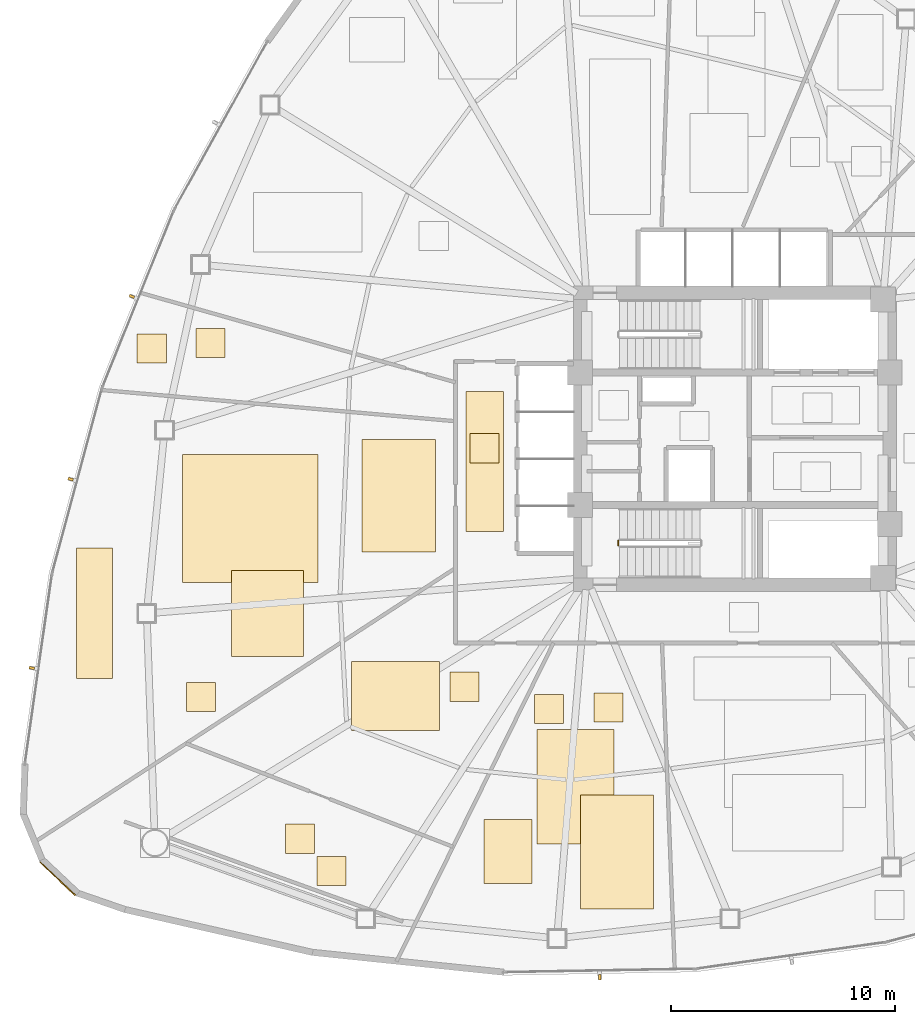
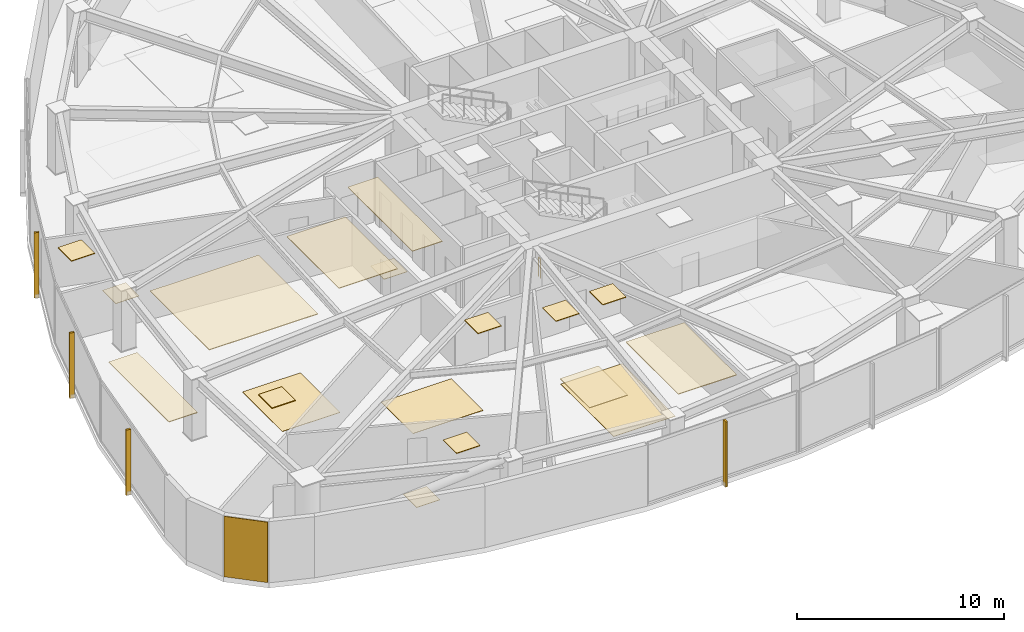
# One storey, part 14 of 17: 19 coverings, 4 shading devices, 1 railing.
"""IFC4 building model written with IfcOpenShell, lengths in metres."""

from ifc_helpers import new_model, si_unit, direction, frame, origin, origin_2d, place, context, subcontext, project, spatial, polyline, rectangle, outline, extrude, source, transform, mapped, material, layer, layer_set, type_object, type_shapes, element, save


model = new_model("IFC4")

# Units and contexts
model_context = context("Model", 3, precision=1e-05, world=origin(), true_north=direction((0.0, 1.0)))
body_context = subcontext(model_context, "Body", "Model", "MODEL_VIEW")
ifc_project = project(units=[si_unit("LENGTHUNIT", "METRE"), si_unit("AREAUNIT", "SQUARE_METRE"), si_unit("VOLUMEUNIT", "CUBIC_METRE"), si_unit("PLANEANGLEUNIT", "RADIAN"), si_unit("MASSUNIT", "GRAM", prefix="KILO")], contexts=[model_context])

# Site, building, storey
site_placement = place(None, origin())
site = spatial("IfcSite", under=ifc_project, at=site_placement, CompositionType="ELEMENT")
building_placement = place(site_placement, origin())
building = spatial("IfcBuilding", under=site, at=building_placement, Name="Tavelor Broadcast Tower", CompositionType="ELEMENT")
storey_placement = place(building_placement, frame((0.0, 0.0, 43.199951171875)))
storey = spatial("IfcBuildingStorey", under=building, at=storey_placement, Name="L09", CompositionType="ELEMENT", Elevation=43.199951171875)

# Coverings
ifc_material_1 = material(Name="Copper-Bronze Anodized Aluminium", Category="aluminium")
ifc_layer_1 = layer(ifc_material_1, 0.050048828125)
ifc_layer_set_1 = layer_set([ifc_layer_1], Name="Copper-Bronze Anodized Aluminium")
covering_type_1 = type_object("IfcCoveringType", Name="Champagne-Bronze Corner Pier Metal Cladding 50 mm", PredefinedType="CLADDING", material=ifc_layer_set_1)
covering_1_placement = place(storey_placement, frame((19.828125, 25.39990234375, 0.02001953125), z_axis=(0.0, 0.0, 1.0), x_axis=(0.727173991201, -0.686453193248, 0.0)))
element("IfcCovering", 1, at=covering_1_placement, inside=storey, type_object=covering_type_1, Name="L09 Champagne-Bronze Corner Cladding 13", PredefinedType="CLADDING", context=body_context, shape_type="SweptSolid", body=[
    extrude(rectangle(XDim=2.1552734375, YDim=0.050048828125, at=origin_2d()), origin(), (0.0, 0.0, 1.0), 3.56005859375),
])
ifc_material_2 = material(Name="Architectural Anodized Aluminium", Category="aluminium")
ifc_layer_2 = layer(ifc_material_2, 0.034912109375)
ifc_layer_set_2 = layer_set([ifc_layer_2], Name="Architectural Anodized Aluminium")
covering_type_2 = type_object("IfcCoveringType", Name="Demountable Metal Tile Corridor Ceiling 35 mm", PredefinedType="CEILING", material=ifc_layer_set_2)
covering_2_placement = place(storey_placement, frame((0.0, 0.0, 3.56494140625)))
element("IfcCovering", 2, at=covering_2_placement, inside=storey, type_object=covering_type_2, Name="L09 Suspended Acoustic Ceiling 0303", PredefinedType="CEILING", context=body_context, shape_type="SweptSolid", body=[
    extrude(outline(polyline([(38.01611328125, 40.868896484375), (39.683837890625, 40.868896484375), (39.683837890625, 47.096923828125), (38.01611328125, 47.096923828125), (38.01611328125, 40.868896484375)])), origin(), (0.0, 0.0, 1.0), 0.03515625),
])
ifc_material_3 = material(Name="Acoustic Nylon Carpet Tile")
ifc_layer_3 = layer(ifc_material_3, 0.02001953125)
ifc_layer_set_3 = layer_set([ifc_layer_3], Name="Acoustic Nylon Carpet Tile")
covering_type_3 = type_object("IfcCoveringType", Name="Heavy-Duty Acoustic Broadcast Carpet Tile 20 mm", PredefinedType="FLOORING", material=ifc_layer_set_3)
covering_3_placement = place(storey_placement, origin())
element("IfcCovering", 3, at=covering_3_placement, inside=storey, type_object=covering_type_3, Name="L09 Broadcast Floor Finish 0104", PredefinedType="FLOORING", context=body_context, shape_type="SweptSolid", body=[
    extrude(outline(polyline([(38.199951171875, 43.925048828125), (39.5, 43.925048828125), (39.5, 45.22509765625), (38.199951171875, 45.22509765625), (38.199951171875, 43.925048828125)])), origin(), (0.0, 0.0, 1.0), 0.02001953125),
])
covering_4_placement = place(storey_placement, origin())
element("IfcCovering", 4, at=covering_4_placement, inside=storey, type_object=covering_type_3, Name="L09 Broadcast Floor Finish 0108", PredefinedType="FLOORING", context=body_context, shape_type="SweptSolid", body=[
    extrude(outline(polyline([(41.1826171875, 26.9462890625), (44.616943359375, 26.9462890625), (44.616943359375, 32.04931640625), (41.1826171875, 32.04931640625), (41.1826171875, 26.9462890625)])), origin(), (0.0, 0.0, 1.0), 0.02001953125),
])
covering_5_placement = place(storey_placement, origin())
element("IfcCovering", 5, at=covering_5_placement, inside=storey, type_object=covering_type_3, Name="L09 Broadcast Floor Finish 0109", PredefinedType="FLOORING", context=body_context, shape_type="SweptSolid", body=[
    extrude(outline(polyline([(29.970947265625, 26.527099609375), (31.27099609375, 26.527099609375), (31.27099609375, 27.826904296875), (29.970947265625, 27.826904296875), (29.970947265625, 26.527099609375)])), origin(), (0.0, 0.0, 1.0), 0.02001953125),
])
covering_6_placement = place(storey_placement, origin())
element("IfcCovering", 6, at=covering_6_placement, inside=storey, type_object=covering_type_3, Name="L09 Broadcast Floor Finish 0110", PredefinedType="FLOORING", context=body_context, shape_type="SweptSolid", body=[
    extrude(outline(polyline([(27.5625, 35.29833984375), (30.78271484375, 35.29833984375), (30.78271484375, 39.14013671875), (27.5625, 39.14013671875), (27.5625, 35.29833984375)])), origin(), (0.0, 0.0, 1.0), 0.02001953125),
])
covering_7_placement = place(storey_placement, origin())
element("IfcCovering", 7, at=covering_7_placement, inside=storey, type_object=covering_type_3, Name="L09 Broadcast Floor Finish 0111", PredefinedType="FLOORING", context=body_context, shape_type="SweptSolid", body=[
    extrude(outline(polyline([(25.981201171875, 48.62060546875), (27.281005859375, 48.62060546875), (27.281005859375, 49.920654296875), (25.981201171875, 49.920654296875), (25.981201171875, 48.62060546875)])), origin(), (0.0, 0.0, 1.0), 0.02001953125),
])
covering_8_placement = place(storey_placement, origin())
element("IfcCovering", 8, at=covering_8_placement, inside=storey, type_object=covering_type_3, Name="L09 Broadcast Floor Finish 0119", PredefinedType="FLOORING", context=body_context, shape_type="SweptSolid", body=[
    extrude(outline(polyline([(32.9287109375, 32.0009765625), (36.83935546875, 32.0009765625), (36.83935546875, 35.068115234375), (32.9287109375, 35.068115234375), (32.9287109375, 32.0009765625)])), origin(), (0.0, 0.0, 1.0), 0.02001953125),
])

# Railing
ifc_material_4 = material(Name="Steel S355", Category="steel")
railing_type = type_object("IfcRailingType", Name="Stairwell Steel Safety Guardrail 1150 mm", PredefinedType="GUARDRAIL", material=ifc_material_4)
railing_placement = place(storey_placement, frame((44.800048828125, 40.25, 0.0)))
element("IfcRailing", 9, at=railing_placement, inside=storey, type_object=railing_type, Name="L09 ST2 stair guard 4", PredefinedType="GUARDRAIL", context=body_context, shape_type="SweptSolid", body=[
    extrude(rectangle(XDim=0.048095703125, YDim=0.048095703125, at=origin_2d()), frame((0.0, 0.0, 1.1259765625), z_axis=(0.0, 1.0, 0.0), x_axis=(-1.0, 0.0, 0.0)), (0.0, 0.0, 1.0), 0.199951171875),
    extrude(rectangle(XDim=0.0419921875, YDim=0.0419921875, at=origin_2d()), origin(), (0.0, 0.0, 1.0), 1.101806640625),
    extrude(rectangle(XDim=0.0419921875, YDim=0.0419921875, at=origin_2d()), frame((0.0, 0.199951171875, 0.0)), (0.0, 0.0, 1.0), 1.101806640625),
])

# Coverings
ifc_material_5 = material(Name="Acoustic Mineral Fibre Tile")
ifc_layer_4 = layer(ifc_material_5, 0.0400390625)
ifc_layer_set_4 = layer_set([ifc_layer_4], Name="Acoustic Mineral Fibre Tile")
covering_type_4 = type_object("IfcCoveringType", Name="Suspended Acoustic Mineral-Fibre Office Ceiling 40 mm", PredefinedType="CEILING", material=ifc_layer_set_4)
covering_9_placement = place(storey_placement, frame((0.0, 0.0, 3.56005859375)))
element("IfcCovering", 10, at=covering_9_placement, inside=storey, type_object=covering_type_4, Name="L09 Suspended Acoustic Ceiling 0309", PredefinedType="CEILING", context=body_context, shape_type="SweptSolid", body=[
    extrude(outline(polyline([(38.825927734375, 25.19580078125), (40.96044921875, 25.19580078125), (40.96044921875, 28.030517578125), (38.825927734375, 28.030517578125), (38.825927734375, 25.19580078125)])), origin(), (0.0, 0.0, 1.0), 0.0400390625),
])
covering_10_placement = place(storey_placement, frame((0.0, 0.0, 3.56005859375)))
element("IfcCovering", 11, at=covering_10_placement, inside=storey, type_object=covering_type_4, Name="L09 Suspended Acoustic Ceiling 0310", PredefinedType="CEILING", context=body_context, shape_type="SweptSolid", body=[
    extrude(outline(polyline([(41.0703125, 32.31396484375), (42.370361328125, 32.31396484375), (42.370361328125, 33.614013671875), (41.0703125, 33.614013671875), (41.0703125, 32.31396484375)])), origin(), (0.0, 0.0, 1.0), 0.0400390625),
])
covering_11_placement = place(storey_placement, frame((0.0, 0.0, 3.56005859375)))
element("IfcCovering", 12, at=covering_11_placement, inside=storey, type_object=covering_type_4, Name="L09 Suspended Acoustic Ceiling 0311", PredefinedType="CEILING", context=body_context, shape_type="SweptSolid", body=[
    extrude(outline(polyline([(43.71728515625, 32.377197265625), (45.01708984375, 32.377197265625), (45.01708984375, 33.67724609375), (43.71728515625, 33.67724609375), (43.71728515625, 32.377197265625)])), origin(), (0.0, 0.0, 1.0), 0.0400390625),
])
covering_12_placement = place(storey_placement, frame((0.0, 0.0, 3.56005859375)))
element("IfcCovering", 13, at=covering_12_placement, inside=storey, type_object=covering_type_4, Name="L09 Suspended Acoustic Ceiling 0312", PredefinedType="CEILING", context=body_context, shape_type="SweptSolid", body=[
    extrude(outline(polyline([(43.114501953125, 24.054443359375), (46.365478515625, 24.054443359375), (46.365478515625, 29.118896484375), (43.114501953125, 29.118896484375), (43.114501953125, 24.054443359375)])), origin(), (0.0, 0.0, 1.0), 0.0400390625),
])
covering_13_placement = place(storey_placement, frame((0.0, 0.0, 3.56005859375)))
element("IfcCovering", 14, at=covering_13_placement, inside=storey, type_object=covering_type_4, Name="L09 Suspended Acoustic Ceiling 0313", PredefinedType="CEILING", context=body_context, shape_type="SweptSolid", body=[
    extrude(outline(polyline([(31.3720703125, 25.0869140625), (32.672119140625, 25.0869140625), (32.672119140625, 26.386962890625), (31.3720703125, 26.386962890625), (31.3720703125, 25.0869140625)])), origin(), (0.0, 0.0, 1.0), 0.0400390625),
])
covering_14_placement = place(storey_placement, frame((0.0, 0.0, 3.56005859375)))
element("IfcCovering", 15, at=covering_14_placement, inside=storey, type_object=covering_type_4, Name="L09 Suspended Acoustic Ceiling 0314", PredefinedType="CEILING", context=body_context, shape_type="SweptSolid", body=[
    extrude(outline(polyline([(20.677978515625, 34.31103515625), (22.274658203125, 34.31103515625), (22.274658203125, 40.125244140625), (20.677978515625, 40.125244140625), (20.677978515625, 34.31103515625)])), origin(), (0.0, 0.0, 1.0), 0.0400390625),
])
covering_15_placement = place(storey_placement, frame((0.0, 0.0, 3.56005859375)))
element("IfcCovering", 16, at=covering_15_placement, inside=storey, type_object=covering_type_4, Name="L09 Suspended Acoustic Ceiling 0315", PredefinedType="CEILING", context=body_context, shape_type="SweptSolid", body=[
    extrude(outline(polyline([(25.391357421875, 38.587158203125), (31.43701171875, 38.587158203125), (31.43701171875, 44.302734375), (25.391357421875, 44.302734375), (25.391357421875, 38.587158203125)])), origin(), (0.0, 0.0, 1.0), 0.0400390625),
])
covering_16_placement = place(storey_placement, frame((0.0, 0.0, 3.56005859375)))
element("IfcCovering", 17, at=covering_16_placement, inside=storey, type_object=covering_type_4, Name="L09 Suspended Acoustic Ceiling 0316", PredefinedType="CEILING", context=body_context, shape_type="SweptSolid", body=[
    extrude(outline(polyline([(33.392822265625, 39.94970703125), (36.66650390625, 39.94970703125), (36.66650390625, 44.974365234375), (33.392822265625, 44.974365234375), (33.392822265625, 39.94970703125)])), origin(), (0.0, 0.0, 1.0), 0.0400390625),
])
covering_17_placement = place(storey_placement, frame((0.0, 0.0, 3.56005859375)))
element("IfcCovering", 18, at=covering_17_placement, inside=storey, type_object=covering_type_4, Name="L09 Suspended Acoustic Ceiling 0317", PredefinedType="CEILING", context=body_context, shape_type="SweptSolid", body=[
    extrude(outline(polyline([(25.563720703125, 32.841796875), (26.86376953125, 32.841796875), (26.86376953125, 34.141845703125), (25.563720703125, 34.141845703125), (25.563720703125, 32.841796875)])), origin(), (0.0, 0.0, 1.0), 0.0400390625),
])
covering_18_placement = place(storey_placement, frame((0.0, 0.0, 3.56005859375)))
element("IfcCovering", 19, at=covering_18_placement, inside=storey, type_object=covering_type_4, Name="L09 Suspended Acoustic Ceiling 0318", PredefinedType="CEILING", context=body_context, shape_type="SweptSolid", body=[
    extrude(outline(polyline([(23.369384765625, 48.37646484375), (24.66943359375, 48.37646484375), (24.66943359375, 49.676513671875), (23.369384765625, 49.676513671875), (23.369384765625, 48.37646484375)])), origin(), (0.0, 0.0, 1.0), 0.0400390625),
])
covering_19_placement = place(storey_placement, frame((0.0, 0.0, 3.56005859375)))
element("IfcCovering", 20, at=covering_19_placement, inside=storey, type_object=covering_type_4, Name="L09 Suspended Acoustic Ceiling 0342", PredefinedType="CEILING", context=body_context, shape_type="SweptSolid", body=[
    extrude(outline(polyline([(37.298583984375, 33.297119140625), (38.5986328125, 33.297119140625), (38.5986328125, 34.59716796875), (37.298583984375, 34.59716796875), (37.298583984375, 33.297119140625)])), origin(), (0.0, 0.0, 1.0), 0.0400390625),
])

# Shading devices
ifc_material_6 = material(Name="Kiln-Fired Glazed Terracotta", Category="masonry")
shading_device_type = type_object("IfcShadingDeviceType", Name="Extruded Terracotta Baguette Sun-Screen 110x240", PredefinedType="JALOUSIE", material=ifc_material_6)
shared_shape = source(origin(), body_context, "Body", "SweptSolid", [
    extrude(rectangle(XDim=0.110107421875, YDim=0.239990234375, at=origin_2d()), origin(), (0.0, 0.0, 1.0), 3.840087890625),
])
type_shapes(shading_device_type, [shared_shape])
for number, where, z_axis, x_axis, name in (
    (21, (23.134033203125, 51.33984375, -0.259765625), (0.0, 0.0, 1.0), (-0.375092014374, -0.926987583926, 0.0), "L09 Terracotta Baguette Fin 62"),
    (22, (20.402099609375, 43.1982421875, -0.259765625), (0.0, 0.0, 1.0), (-0.259998952669, -0.96560889837, 0.0), "L09 Terracotta Baguette Fin 63"),
    (23, (18.67529296875, 34.78564453125, -0.259765625), (0.0, 0.0, 1.0), (-0.141246806796, -0.989974413594, 0.0), "L09 Terracotta Baguette Fin 64"),
    (24, (43.98095703125, 21.00732421875, -0.259765625), (0.0, 0.0, 1.0), (0.999841542203, 0.017801418053, 0.0), "L09 Terracotta Baguette Fin 65"),
):
    element("IfcShadingDevice", number, at=place(storey_placement, frame(where, z_axis=z_axis, x_axis=x_axis)), inside=storey, type_object=shading_device_type, Name=name, PredefinedType="JALOUSIE", context=body_context, shape_type="MappedRepresentation", body=[
        mapped(shared_shape, transform((0.0, 0.0, 0.0), scale=1.0)),
    ])

save(model, "model.ifc")
